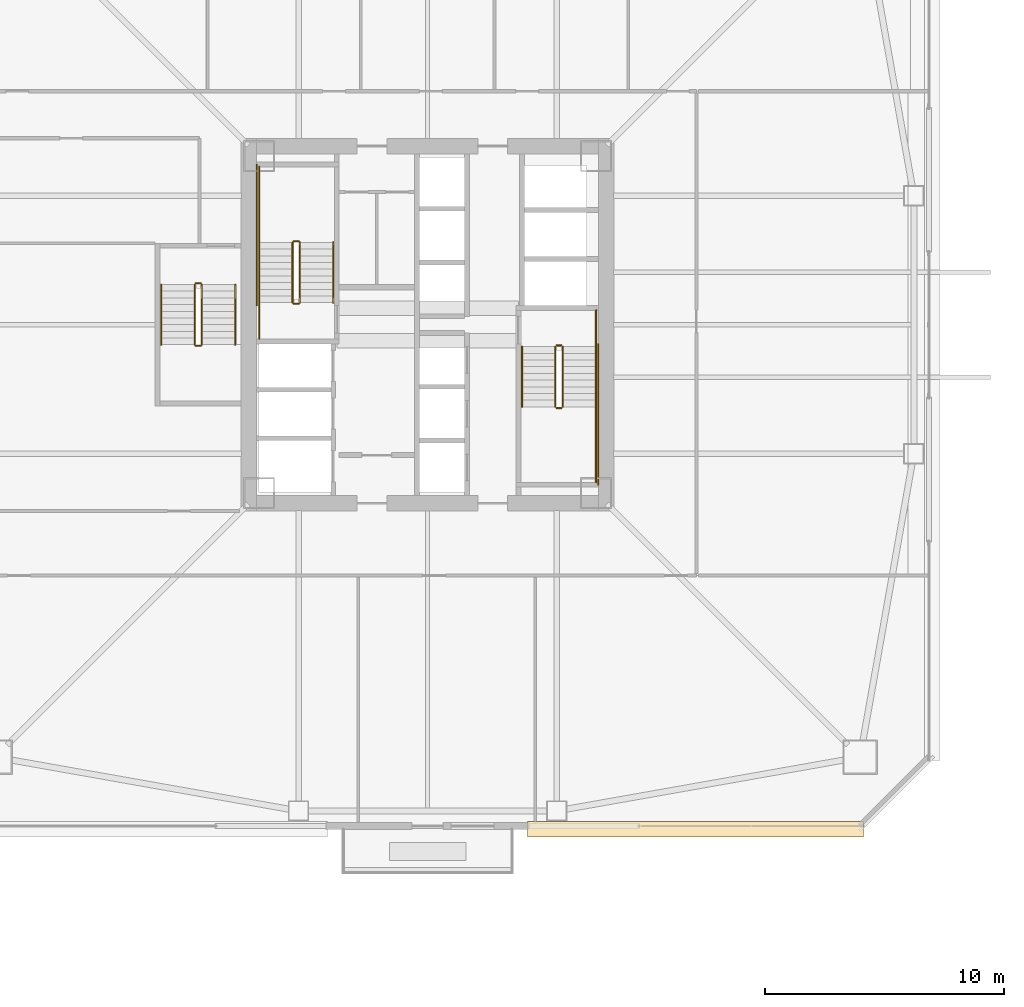
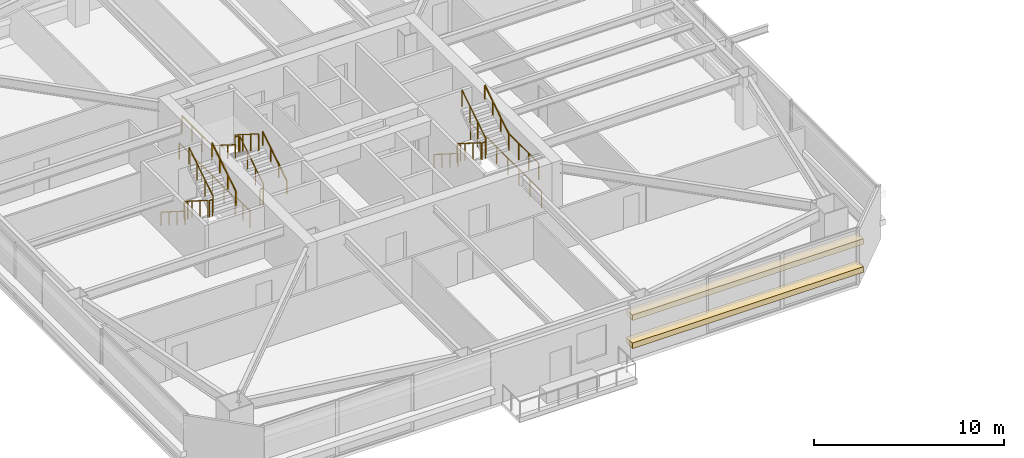
# One storey, part 39 of 44: 24 railings, 2 coverings.
"""IFC4 building model written with IfcOpenShell, lengths in metres."""

from ifc_helpers import new_model, si_unit, direction, frame, origin, origin_2d, place, context, subcontext, project, spatial, rectangle, extrude, material, layer, layer_set, type_object, element, save


model = new_model("IFC4")

# Units and contexts
model_context = context("Model", 3, precision=1e-05, world=origin(), true_north=direction((0.0, 1.0)))
body_context = subcontext(model_context, "Body", "Model", "MODEL_VIEW")
ifc_project = project(units=[si_unit("LENGTHUNIT", "METRE"), si_unit("AREAUNIT", "SQUARE_METRE"), si_unit("VOLUMEUNIT", "CUBIC_METRE"), si_unit("PLANEANGLEUNIT", "RADIAN"), si_unit("MASSUNIT", "GRAM", prefix="KILO")], contexts=[model_context])

# Site, building, storey
site_placement = place(None, origin())
site = spatial("IfcSite", under=ifc_project, at=site_placement, CompositionType="ELEMENT")
building_placement = place(site_placement, origin())
building = spatial("IfcBuilding", under=site, at=building_placement, Name="Tashvorn Skyway Center", CompositionType="ELEMENT")
storey_placement = place(building_placement, frame((0.0, 0.0, 95.60009765625)))
storey = spatial("IfcBuildingStorey", under=building, at=storey_placement, Name="L25", CompositionType="ELEMENT", Elevation=95.60009765625)

# Coverings
ifc_material_1 = material(Name="Perforated ceramic-coated bronze aluminium solar screen", Category="aluminium")
ifc_layer = layer(ifc_material_1, 0.85009765625)
ifc_layer_set = layer_set([ifc_layer], Name="Perforated ceramic-coated bronze aluminium solar screen")
covering_type = type_object("IfcCoveringType", Name="COV-SOLAR-BAND", PredefinedType="CLADDING", material=ifc_layer_set)
for number, where, z_axis, x_axis, name in (
    (1, (53.215087890625, 10.8798828125, 0.919921875), (0.0, 0.0, 1.0), (-1.0, 0.0, 0.0), "L25 Perforated Ceramic-Metal Solar Screen Louvre Band South 1"),
    (2, (53.215087890625, 10.8798828125, 2.7197265625), (0.0, 0.0, 1.0), (-1.0, 0.0, 0.0), "L25 Perforated Ceramic-Metal Solar Screen Louvre Band South 2"),
):
    element("IfcCovering", number, at=place(storey_placement, frame(where, z_axis=z_axis, x_axis=x_axis)), inside=storey, type_object=covering_type, Name=name, PredefinedType="CLADDING", context=body_context, shape_type="SweptSolid", body=[
        extrude(rectangle(XDim=14.050048828125, YDim=0.639892578125, at=origin_2d()), origin(), (0.0, 0.0, 1.0), 0.360107421875),
    ])

# Railings
ifc_material_2 = material(Name="Brushed stainless steel 316", Category="steel")
railing_type_1 = type_object("IfcRailingType", Name="RAIL-HAND-920", PredefinedType="HANDRAIL", material=ifc_material_2)
railing_1_placement = place(storey_placement, frame((38.050048828125, 32.919921875, 0.177490234375)))
element("IfcRailing", 3, at=railing_1_placement, inside=storey, type_object=railing_type_1, Name="L25 ST-T1-1 stair handrail 1", PredefinedType="HANDRAIL", context=body_context, shape_type="SweptSolid", body=[
    extrude(rectangle(XDim=0.048095703125, YDim=0.048095703125, at=origin_2d()), frame((0.0, 0.0, 0.8759765625), z_axis=(0.0, 0.84460694969, 0.535386869969), x_axis=(-1.0, 0.0, 0.0)), (0.0, 0.0, 1.0), 2.983642578125),
    extrude(rectangle(XDim=0.0419921875, YDim=0.0419921875, at=origin_2d()), origin(), (0.0, 0.0, 1.0), 0.851806640625),
    extrude(rectangle(XDim=0.0419921875, YDim=0.0419921875, at=origin_2d()), frame((0.0, 0.840087890625, 0.532470703125)), (0.0, 0.0, 1.0), 0.851806640625),
    extrude(rectangle(XDim=0.0419921875, YDim=0.0419921875, at=origin_2d()), frame((0.0, 1.679931640625, 1.06494140625)), (0.0, 0.0, 1.0), 0.851806640625),
    extrude(rectangle(XDim=0.0419921875, YDim=0.0419921875, at=origin_2d()), frame((0.0, 2.52001953125, 1.597412109375)), (0.0, 0.0, 1.0), 0.851806640625),
])
for number, where, name in (
    (4, (34.949951171875, 35.43994140625, 1.952392578125), "L25 ST-T1-1 stair handrail 2"),
    (5, (45.949951171875, 31.080078125, 0.177490234375), "L25 ST-T1-2 stair handrail 1"),
):
    element("IfcRailing", number, at=place(storey_placement, frame(where)), inside=storey, type_object=railing_type_1, Name=name, PredefinedType="HANDRAIL", context=body_context, shape_type="SweptSolid", body=[
        extrude(rectangle(XDim=0.048095703125, YDim=0.048095703125, at=origin_2d()), frame((0.0, 0.0, 0.8759765625), z_axis=(0.0, -0.84460694969, 0.535386869969), x_axis=(1.0, 0.0, 0.0)), (0.0, 0.0, 1.0), 2.983642578125),
        extrude(rectangle(XDim=0.0419921875, YDim=0.0419921875, at=origin_2d()), origin(), (0.0, 0.0, 1.0), 0.851806640625),
        extrude(rectangle(XDim=0.0419921875, YDim=0.0419921875, at=origin_2d()), frame((0.0, -0.840087890625, 0.532470703125)), (0.0, 0.0, 1.0), 0.851806640625),
        extrude(rectangle(XDim=0.0419921875, YDim=0.0419921875, at=origin_2d()), frame((0.0, -1.679931640625, 1.06494140625)), (0.0, 0.0, 1.0), 0.851806640625),
        extrude(rectangle(XDim=0.0419921875, YDim=0.0419921875, at=origin_2d()), frame((0.0, -2.52001953125, 1.597412109375)), (0.0, 0.0, 1.0), 0.851806640625),
    ])
railing_2_placement = place(storey_placement, frame((49.050048828125, 28.56005859375, 1.952392578125)))
element("IfcRailing", 6, at=railing_2_placement, inside=storey, type_object=railing_type_1, Name="L25 ST-T1-2 stair handrail 2", PredefinedType="HANDRAIL", context=body_context, shape_type="SweptSolid", body=[
    extrude(rectangle(XDim=0.048095703125, YDim=0.048095703125, at=origin_2d()), frame((0.0, 0.0, 0.8759765625), z_axis=(0.0, 0.84460694969, 0.535386869969), x_axis=(-1.0, 0.0, 0.0)), (0.0, 0.0, 1.0), 2.983642578125),
    extrude(rectangle(XDim=0.0419921875, YDim=0.0419921875, at=origin_2d()), origin(), (0.0, 0.0, 1.0), 0.851806640625),
    extrude(rectangle(XDim=0.0419921875, YDim=0.0419921875, at=origin_2d()), frame((0.0, 0.840087890625, 0.532470703125)), (0.0, 0.0, 1.0), 0.851806640625),
    extrude(rectangle(XDim=0.0419921875, YDim=0.0419921875, at=origin_2d()), frame((0.0, 1.679931640625, 1.06494140625)), (0.0, 0.0, 1.0), 0.851806640625),
    extrude(rectangle(XDim=0.0419921875, YDim=0.0419921875, at=origin_2d()), frame((0.0, 2.52001953125, 1.597412109375)), (0.0, 0.0, 1.0), 0.851806640625),
])
railing_3_placement = place(storey_placement, frame((30.85009765625, 33.679931640625, 0.177490234375)))
element("IfcRailing", 7, at=railing_3_placement, inside=storey, type_object=railing_type_1, Name="L25 ST-T1-3 stair handrail 1", PredefinedType="HANDRAIL", context=body_context, shape_type="SweptSolid", body=[
    extrude(rectangle(XDim=0.048095703125, YDim=0.048095703125, at=origin_2d()), frame((0.0, 0.0, 0.8759765625), z_axis=(0.0, -0.84460694969, 0.535386869969), x_axis=(1.0, 0.0, 0.0)), (0.0, 0.0, 1.0), 2.983642578125),
    extrude(rectangle(XDim=0.0419921875, YDim=0.0419921875, at=origin_2d()), origin(), (0.0, 0.0, 1.0), 0.851806640625),
    extrude(rectangle(XDim=0.0419921875, YDim=0.0419921875, at=origin_2d()), frame((0.0, -0.840087890625, 0.532470703125)), (0.0, 0.0, 1.0), 0.851806640625),
    extrude(rectangle(XDim=0.0419921875, YDim=0.0419921875, at=origin_2d()), frame((0.0, -1.679931640625, 1.06494140625)), (0.0, 0.0, 1.0), 0.851806640625),
    extrude(rectangle(XDim=0.0419921875, YDim=0.0419921875, at=origin_2d()), frame((0.0, -2.52001953125, 1.597412109375)), (0.0, 0.0, 1.0), 0.851806640625),
])
railing_4_placement = place(storey_placement, frame((33.949951171875, 31.159912109375, 1.952392578125)))
element("IfcRailing", 8, at=railing_4_placement, inside=storey, type_object=railing_type_1, Name="L25 ST-T1-3 stair handrail 2", PredefinedType="HANDRAIL", context=body_context, shape_type="SweptSolid", body=[
    extrude(rectangle(XDim=0.048095703125, YDim=0.048095703125, at=origin_2d()), frame((0.0, 0.0, 0.8759765625), z_axis=(0.0, 0.84460694969, 0.535386869969), x_axis=(-1.0, 0.0, 0.0)), (0.0, 0.0, 1.0), 2.983642578125),
    extrude(rectangle(XDim=0.0419921875, YDim=0.0419921875, at=origin_2d()), origin(), (0.0, 0.0, 1.0), 0.851806640625),
    extrude(rectangle(XDim=0.0419921875, YDim=0.0419921875, at=origin_2d()), frame((0.0, 0.840087890625, 0.532470703125)), (0.0, 0.0, 1.0), 0.851806640625),
    extrude(rectangle(XDim=0.0419921875, YDim=0.0419921875, at=origin_2d()), frame((0.0, 1.679931640625, 1.06494140625)), (0.0, 0.0, 1.0), 0.851806640625),
    extrude(rectangle(XDim=0.0419921875, YDim=0.0419921875, at=origin_2d()), frame((0.0, 2.52001953125, 1.597412109375)), (0.0, 0.0, 1.0), 0.851806640625),
])
ifc_material_3 = material(Name="Painted galvanized steel S355", Category="steel")
railing_type_2 = type_object("IfcRailingType", Name="RAIL-STGUARD-1100", PredefinedType="GUARDRAIL", material=ifc_material_3)
railing_5_placement = place(storey_placement, frame((36.64990234375, 32.919921875, 0.177490234375)))
element("IfcRailing", 9, at=railing_5_placement, inside=storey, type_object=railing_type_2, Name="L25 ST-T1-1 stair guard 1", PredefinedType="GUARDRAIL", context=body_context, shape_type="SweptSolid", body=[
    extrude(rectangle(XDim=0.048095703125, YDim=0.048095703125, at=origin_2d()), frame((0.0, 0.0, 1.076171875), z_axis=(0.0, 0.84460694969, 0.535386869969), x_axis=(-1.0, 0.0, 0.0)), (0.0, 0.0, 1.0), 2.983642578125),
    extrude(rectangle(XDim=0.0419921875, YDim=0.0419921875, at=origin_2d()), origin(), (0.0, 0.0, 1.0), 1.052001953125),
    extrude(rectangle(XDim=0.0419921875, YDim=0.0419921875, at=origin_2d()), frame((0.0, 0.840087890625, 0.532470703125)), (0.0, 0.0, 1.0), 1.052001953125),
    extrude(rectangle(XDim=0.0419921875, YDim=0.0419921875, at=origin_2d()), frame((0.0, 1.679931640625, 1.06494140625)), (0.0, 0.0, 1.0), 1.052001953125),
    extrude(rectangle(XDim=0.0419921875, YDim=0.0419921875, at=origin_2d()), frame((0.0, 2.52001953125, 1.597412109375)), (0.0, 0.0, 1.0), 1.052001953125),
])
railing_6_placement = place(storey_placement, frame((36.60009765625, 35.489990234375, 1.77490234375)))
element("IfcRailing", 10, at=railing_6_placement, inside=storey, type_object=railing_type_2, Name="L25 ST-T1-1 stair guard 2", PredefinedType="GUARDRAIL", context=body_context, shape_type="SweptSolid", body=[
    extrude(rectangle(XDim=0.048095703125, YDim=0.048095703125, at=origin_2d()), frame((0.0, 0.0, 1.076171875), z_axis=(-1.0, 0.0, 0.0), x_axis=(0.0, -1.0, 0.0)), (0.0, 0.0, 1.0), 0.2001953125),
    extrude(rectangle(XDim=0.0419921875, YDim=0.0419921875, at=origin_2d()), origin(), (0.0, 0.0, 1.0), 1.052001953125),
    extrude(rectangle(XDim=0.0419921875, YDim=0.0419921875, at=origin_2d()), frame((-0.2001953125, 0.0, 0.0)), (0.0, 0.0, 1.0), 1.052001953125),
])
railing_7_placement = place(storey_placement, frame((34.949951171875, 35.43994140625, 1.77490234375)))
element("IfcRailing", 11, at=railing_7_placement, inside=storey, type_object=railing_type_2, Name="L25 ST-T1-1 stair guard 3", PredefinedType="GUARDRAIL", context=body_context, shape_type="SweptSolid", body=[
    extrude(rectangle(XDim=0.048095703125, YDim=0.048095703125, at=origin_2d()), frame((0.0, 0.0, 1.076171875), z_axis=(0.0, 1.0, 0.0), x_axis=(-1.0, 0.0, 0.0)), (0.0, 0.0, 1.0), 3.16015625),
    extrude(rectangle(XDim=0.0419921875, YDim=0.0419921875, at=origin_2d()), origin(), (0.0, 0.0, 1.0), 1.052001953125),
    extrude(rectangle(XDim=0.0419921875, YDim=0.0419921875, at=origin_2d()), frame((0.0, 1.053466796875, 0.0)), (0.0, 0.0, 1.0), 1.052001953125),
    extrude(rectangle(XDim=0.0419921875, YDim=0.0419921875, at=origin_2d()), frame((0.0, 2.106689453125, 0.0)), (0.0, 0.0, 1.0), 1.052001953125),
    extrude(rectangle(XDim=0.0419921875, YDim=0.0419921875, at=origin_2d()), frame((0.0, 3.16015625, 0.0)), (0.0, 0.0, 1.0), 1.052001953125),
])
railing_8_placement = place(storey_placement, frame((36.35009765625, 35.43994140625, 1.952392578125)))
element("IfcRailing", 12, at=railing_8_placement, inside=storey, type_object=railing_type_2, Name="L25 ST-T1-1 stair guard 4", PredefinedType="GUARDRAIL", context=body_context, shape_type="SweptSolid", body=[
    extrude(rectangle(XDim=0.048095703125, YDim=0.048095703125, at=origin_2d()), frame((0.0, 0.0, 1.076171875), z_axis=(0.0, -0.84460694969, 0.535386869969), x_axis=(1.0, 0.0, 0.0)), (0.0, 0.0, 1.0), 2.983642578125),
    extrude(rectangle(XDim=0.0419921875, YDim=0.0419921875, at=origin_2d()), origin(), (0.0, 0.0, 1.0), 1.052001953125),
    extrude(rectangle(XDim=0.0419921875, YDim=0.0419921875, at=origin_2d()), frame((0.0, -0.840087890625, 0.532470703125)), (0.0, 0.0, 1.0), 1.052001953125),
    extrude(rectangle(XDim=0.0419921875, YDim=0.0419921875, at=origin_2d()), frame((0.0, -1.679931640625, 1.06494140625)), (0.0, 0.0, 1.0), 1.052001953125),
    extrude(rectangle(XDim=0.0419921875, YDim=0.0419921875, at=origin_2d()), frame((0.0, -2.52001953125, 1.597412109375)), (0.0, 0.0, 1.0), 1.052001953125),
])
railing_9_placement = place(storey_placement, frame((36.60009765625, 32.8701171875, 0.0)))
element("IfcRailing", 13, at=railing_9_placement, inside=storey, type_object=railing_type_2, Name="L25 ST-T1-1 stair guard 5", PredefinedType="GUARDRAIL", context=body_context, shape_type="SweptSolid", body=[
    extrude(rectangle(XDim=0.048095703125, YDim=0.048095703125, at=origin_2d()), frame((0.0, 0.0, 1.076171875), z_axis=(-1.0, 0.0, 0.0), x_axis=(0.0, -1.0, 0.0)), (0.0, 0.0, 1.0), 0.2001953125),
    extrude(rectangle(XDim=0.0419921875, YDim=0.0419921875, at=origin_2d()), origin(), (0.0, 0.0, 1.0), 1.052001953125),
    extrude(rectangle(XDim=0.0419921875, YDim=0.0419921875, at=origin_2d()), frame((-0.2001953125, 0.0, 0.0)), (0.0, 0.0, 1.0), 1.052001953125),
])
railing_10_placement = place(storey_placement, frame((34.949951171875, 31.39990234375, 0.0)))
element("IfcRailing", 14, at=railing_10_placement, inside=storey, type_object=railing_type_2, Name="L25 ST-T1-1 stair guard 6", PredefinedType="GUARDRAIL", context=body_context, shape_type="SweptSolid", body=[
    extrude(rectangle(XDim=0.048095703125, YDim=0.048095703125, at=origin_2d()), frame((0.0, 0.0, 1.076171875), z_axis=(0.0, 1.0, 0.0), x_axis=(-1.0, 0.0, 0.0)), (0.0, 0.0, 1.0), 1.52001953125),
    extrude(rectangle(XDim=0.0419921875, YDim=0.0419921875, at=origin_2d()), origin(), (0.0, 0.0, 1.0), 1.052001953125),
    extrude(rectangle(XDim=0.0419921875, YDim=0.0419921875, at=origin_2d()), frame((0.0, 0.760009765625, 0.0)), (0.0, 0.0, 1.0), 1.052001953125),
    extrude(rectangle(XDim=0.0419921875, YDim=0.0419921875, at=origin_2d()), frame((0.0, 1.52001953125, 0.0)), (0.0, 0.0, 1.0), 1.052001953125),
])
railing_11_placement = place(storey_placement, frame((34.85009765625, 32.820068359375, 0.0)))
element("IfcRailing", 15, at=railing_11_placement, inside=storey, type_object=railing_type_2, Name="L25 ST-T1-1 stair guard 7", PredefinedType="GUARDRAIL", context=body_context, shape_type="SweptSolid", body=[
    extrude(rectangle(XDim=0.048095703125, YDim=0.048095703125, at=origin_2d()), frame((0.0, 0.0, 1.076171875), z_axis=(0.0, 1.0, 0.0), x_axis=(-1.0, 0.0, 0.0)), (0.0, 0.0, 1.0), 5.8798828125),
    extrude(rectangle(XDim=0.0419921875, YDim=0.0419921875, at=origin_2d()), origin(), (0.0, 0.0, 1.0), 1.052001953125),
    extrude(rectangle(XDim=0.0419921875, YDim=0.0419921875, at=origin_2d()), frame((0.0, 1.176025390625, 0.0)), (0.0, 0.0, 1.0), 1.052001953125),
    extrude(rectangle(XDim=0.0419921875, YDim=0.0419921875, at=origin_2d()), frame((0.0, 2.35205078125, 0.0)), (0.0, 0.0, 1.0), 1.052001953125),
    extrude(rectangle(XDim=0.0419921875, YDim=0.0419921875, at=origin_2d()), frame((0.0, 3.52783203125, 0.0)), (0.0, 0.0, 1.0), 1.052001953125),
    extrude(rectangle(XDim=0.0419921875, YDim=0.0419921875, at=origin_2d()), frame((0.0, 4.703857421875, 0.0)), (0.0, 0.0, 1.0), 1.052001953125),
    extrude(rectangle(XDim=0.0419921875, YDim=0.0419921875, at=origin_2d()), frame((0.0, 5.8798828125, 0.0)), (0.0, 0.0, 1.0), 1.052001953125),
])
railing_12_placement = place(storey_placement, frame((47.35009765625, 31.080078125, 0.177490234375)))
element("IfcRailing", 16, at=railing_12_placement, inside=storey, type_object=railing_type_2, Name="L25 ST-T1-2 stair guard 1", PredefinedType="GUARDRAIL", context=body_context, shape_type="SweptSolid", body=[
    extrude(rectangle(XDim=0.048095703125, YDim=0.048095703125, at=origin_2d()), frame((0.0, 0.0, 1.076171875), z_axis=(0.0, -0.84460694969, 0.535386869969), x_axis=(1.0, 0.0, 0.0)), (0.0, 0.0, 1.0), 2.983642578125),
    extrude(rectangle(XDim=0.0419921875, YDim=0.0419921875, at=origin_2d()), origin(), (0.0, 0.0, 1.0), 1.052001953125),
    extrude(rectangle(XDim=0.0419921875, YDim=0.0419921875, at=origin_2d()), frame((0.0, -0.840087890625, 0.532470703125)), (0.0, 0.0, 1.0), 1.052001953125),
    extrude(rectangle(XDim=0.0419921875, YDim=0.0419921875, at=origin_2d()), frame((0.0, -1.679931640625, 1.06494140625)), (0.0, 0.0, 1.0), 1.052001953125),
    extrude(rectangle(XDim=0.0419921875, YDim=0.0419921875, at=origin_2d()), frame((0.0, -2.52001953125, 1.597412109375)), (0.0, 0.0, 1.0), 1.052001953125),
])
railing_13_placement = place(storey_placement, frame((47.39990234375, 28.510009765625, 1.77490234375)))
element("IfcRailing", 17, at=railing_13_placement, inside=storey, type_object=railing_type_2, Name="L25 ST-T1-2 stair guard 2", PredefinedType="GUARDRAIL", context=body_context, shape_type="SweptSolid", body=[
    extrude(rectangle(XDim=0.048095703125, YDim=0.048095703125, at=origin_2d()), frame((0.0, 0.0, 1.076171875), z_axis=(1.0, 0.0, 0.0), x_axis=(0.0, 1.0, 0.0)), (0.0, 0.0, 1.0), 0.2001953125),
    extrude(rectangle(XDim=0.0419921875, YDim=0.0419921875, at=origin_2d()), origin(), (0.0, 0.0, 1.0), 1.052001953125),
    extrude(rectangle(XDim=0.0419921875, YDim=0.0419921875, at=origin_2d()), frame((0.2001953125, 0.0, 0.0)), (0.0, 0.0, 1.0), 1.052001953125),
])
railing_14_placement = place(storey_placement, frame((49.050048828125, 28.56005859375, 1.77490234375)))
element("IfcRailing", 18, at=railing_14_placement, inside=storey, type_object=railing_type_2, Name="L25 ST-T1-2 stair guard 3", PredefinedType="GUARDRAIL", context=body_context, shape_type="SweptSolid", body=[
    extrude(rectangle(XDim=0.048095703125, YDim=0.048095703125, at=origin_2d()), frame((0.0, 0.0, 1.076171875), z_axis=(0.0, -1.0, 0.0), x_axis=(1.0, 0.0, 0.0)), (0.0, 0.0, 1.0), 3.16015625),
    extrude(rectangle(XDim=0.0419921875, YDim=0.0419921875, at=origin_2d()), origin(), (0.0, 0.0, 1.0), 1.052001953125),
    extrude(rectangle(XDim=0.0419921875, YDim=0.0419921875, at=origin_2d()), frame((0.0, -1.053466796875, 0.0)), (0.0, 0.0, 1.0), 1.052001953125),
    extrude(rectangle(XDim=0.0419921875, YDim=0.0419921875, at=origin_2d()), frame((0.0, -2.106689453125, 0.0)), (0.0, 0.0, 1.0), 1.052001953125),
    extrude(rectangle(XDim=0.0419921875, YDim=0.0419921875, at=origin_2d()), frame((0.0, -3.16015625, 0.0)), (0.0, 0.0, 1.0), 1.052001953125),
])
railing_15_placement = place(storey_placement, frame((47.64990234375, 28.56005859375, 1.952392578125)))
element("IfcRailing", 19, at=railing_15_placement, inside=storey, type_object=railing_type_2, Name="L25 ST-T1-2 stair guard 4", PredefinedType="GUARDRAIL", context=body_context, shape_type="SweptSolid", body=[
    extrude(rectangle(XDim=0.048095703125, YDim=0.048095703125, at=origin_2d()), frame((0.0, 0.0, 1.076171875), z_axis=(0.0, 0.84460694969, 0.535386869969), x_axis=(-1.0, 0.0, 0.0)), (0.0, 0.0, 1.0), 2.983642578125),
    extrude(rectangle(XDim=0.0419921875, YDim=0.0419921875, at=origin_2d()), origin(), (0.0, 0.0, 1.0), 1.052001953125),
    extrude(rectangle(XDim=0.0419921875, YDim=0.0419921875, at=origin_2d()), frame((0.0, 0.840087890625, 0.532470703125)), (0.0, 0.0, 1.0), 1.052001953125),
    extrude(rectangle(XDim=0.0419921875, YDim=0.0419921875, at=origin_2d()), frame((0.0, 1.679931640625, 1.06494140625)), (0.0, 0.0, 1.0), 1.052001953125),
    extrude(rectangle(XDim=0.0419921875, YDim=0.0419921875, at=origin_2d()), frame((0.0, 2.52001953125, 1.597412109375)), (0.0, 0.0, 1.0), 1.052001953125),
])
railing_16_placement = place(storey_placement, frame((47.39990234375, 31.1298828125, 0.0)))
element("IfcRailing", 20, at=railing_16_placement, inside=storey, type_object=railing_type_2, Name="L25 ST-T1-2 stair guard 5", PredefinedType="GUARDRAIL", context=body_context, shape_type="SweptSolid", body=[
    extrude(rectangle(XDim=0.048095703125, YDim=0.048095703125, at=origin_2d()), frame((0.0, 0.0, 1.076171875), z_axis=(1.0, 0.0, 0.0), x_axis=(0.0, 1.0, 0.0)), (0.0, 0.0, 1.0), 0.2001953125),
    extrude(rectangle(XDim=0.0419921875, YDim=0.0419921875, at=origin_2d()), origin(), (0.0, 0.0, 1.0), 1.052001953125),
    extrude(rectangle(XDim=0.0419921875, YDim=0.0419921875, at=origin_2d()), frame((0.2001953125, 0.0, 0.0)), (0.0, 0.0, 1.0), 1.052001953125),
])
railing_17_placement = place(storey_placement, frame((49.050048828125, 32.60009765625, 0.0)))
element("IfcRailing", 21, at=railing_17_placement, inside=storey, type_object=railing_type_2, Name="L25 ST-T1-2 stair guard 6", PredefinedType="GUARDRAIL", context=body_context, shape_type="SweptSolid", body=[
    extrude(rectangle(XDim=0.048095703125, YDim=0.048095703125, at=origin_2d()), frame((0.0, 0.0, 1.076171875), z_axis=(0.0, -1.0, 0.0), x_axis=(1.0, 0.0, 0.0)), (0.0, 0.0, 1.0), 1.52001953125),
    extrude(rectangle(XDim=0.0419921875, YDim=0.0419921875, at=origin_2d()), origin(), (0.0, 0.0, 1.0), 1.052001953125),
    extrude(rectangle(XDim=0.0419921875, YDim=0.0419921875, at=origin_2d()), frame((0.0, -0.760009765625, 0.0)), (0.0, 0.0, 1.0), 1.052001953125),
    extrude(rectangle(XDim=0.0419921875, YDim=0.0419921875, at=origin_2d()), frame((0.0, -1.52001953125, 0.0)), (0.0, 0.0, 1.0), 1.052001953125),
])
railing_18_placement = place(storey_placement, frame((49.14990234375, 31.179931640625, 0.0)))
element("IfcRailing", 22, at=railing_18_placement, inside=storey, type_object=railing_type_2, Name="L25 ST-T1-2 stair guard 7", PredefinedType="GUARDRAIL", context=body_context, shape_type="SweptSolid", body=[
    extrude(rectangle(XDim=0.048095703125, YDim=0.048095703125, at=origin_2d()), frame((0.0, 0.0, 1.076171875), z_axis=(0.0, -1.0, 0.0), x_axis=(1.0, 0.0, 0.0)), (0.0, 0.0, 1.0), 5.8798828125),
    extrude(rectangle(XDim=0.0419921875, YDim=0.0419921875, at=origin_2d()), origin(), (0.0, 0.0, 1.0), 1.052001953125),
    extrude(rectangle(XDim=0.0419921875, YDim=0.0419921875, at=origin_2d()), frame((0.0, -1.176025390625, 0.0)), (0.0, 0.0, 1.0), 1.052001953125),
    extrude(rectangle(XDim=0.0419921875, YDim=0.0419921875, at=origin_2d()), frame((0.0, -2.35205078125, 0.0)), (0.0, 0.0, 1.0), 1.052001953125),
    extrude(rectangle(XDim=0.0419921875, YDim=0.0419921875, at=origin_2d()), frame((0.0, -3.52783203125, 0.0)), (0.0, 0.0, 1.0), 1.052001953125),
    extrude(rectangle(XDim=0.0419921875, YDim=0.0419921875, at=origin_2d()), frame((0.0, -4.703857421875, 0.0)), (0.0, 0.0, 1.0), 1.052001953125),
    extrude(rectangle(XDim=0.0419921875, YDim=0.0419921875, at=origin_2d()), frame((0.0, -5.8798828125, 0.0)), (0.0, 0.0, 1.0), 1.052001953125),
])
railing_19_placement = place(storey_placement, frame((32.25, 33.679931640625, 0.177490234375)))
element("IfcRailing", 23, at=railing_19_placement, inside=storey, type_object=railing_type_2, Name="L25 ST-T1-3 stair guard 1", PredefinedType="GUARDRAIL", context=body_context, shape_type="SweptSolid", body=[
    extrude(rectangle(XDim=0.048095703125, YDim=0.048095703125, at=origin_2d()), frame((0.0, 0.0, 1.076171875), z_axis=(0.0, -0.84460694969, 0.535386869969), x_axis=(1.0, 0.0, 0.0)), (0.0, 0.0, 1.0), 2.983642578125),
    extrude(rectangle(XDim=0.0419921875, YDim=0.0419921875, at=origin_2d()), origin(), (0.0, 0.0, 1.0), 1.052001953125),
    extrude(rectangle(XDim=0.0419921875, YDim=0.0419921875, at=origin_2d()), frame((0.0, -0.840087890625, 0.532470703125)), (0.0, 0.0, 1.0), 1.052001953125),
    extrude(rectangle(XDim=0.0419921875, YDim=0.0419921875, at=origin_2d()), frame((0.0, -1.679931640625, 1.06494140625)), (0.0, 0.0, 1.0), 1.052001953125),
    extrude(rectangle(XDim=0.0419921875, YDim=0.0419921875, at=origin_2d()), frame((0.0, -2.52001953125, 1.597412109375)), (0.0, 0.0, 1.0), 1.052001953125),
])
railing_20_placement = place(storey_placement, frame((32.300048828125, 31.110107421875, 1.77490234375)))
element("IfcRailing", 24, at=railing_20_placement, inside=storey, type_object=railing_type_2, Name="L25 ST-T1-3 stair guard 2", PredefinedType="GUARDRAIL", context=body_context, shape_type="SweptSolid", body=[
    extrude(rectangle(XDim=0.048095703125, YDim=0.048095703125, at=origin_2d()), frame((0.0, 0.0, 1.076171875), z_axis=(1.0, 0.0, 0.0), x_axis=(0.0, 1.0, 0.0)), (0.0, 0.0, 1.0), 0.199951171875),
    extrude(rectangle(XDim=0.0419921875, YDim=0.0419921875, at=origin_2d()), origin(), (0.0, 0.0, 1.0), 1.052001953125),
    extrude(rectangle(XDim=0.0419921875, YDim=0.0419921875, at=origin_2d()), frame((0.199951171875, 0.0, 0.0)), (0.0, 0.0, 1.0), 1.052001953125),
])
railing_21_placement = place(storey_placement, frame((32.550048828125, 31.159912109375, 1.952392578125)))
element("IfcRailing", 25, at=railing_21_placement, inside=storey, type_object=railing_type_2, Name="L25 ST-T1-3 stair guard 3", PredefinedType="GUARDRAIL", context=body_context, shape_type="SweptSolid", body=[
    extrude(rectangle(XDim=0.048095703125, YDim=0.048095703125, at=origin_2d()), frame((0.0, 0.0, 1.076171875), z_axis=(0.0, 0.84460694969, 0.535386869969), x_axis=(-1.0, 0.0, 0.0)), (0.0, 0.0, 1.0), 2.983642578125),
    extrude(rectangle(XDim=0.0419921875, YDim=0.0419921875, at=origin_2d()), origin(), (0.0, 0.0, 1.0), 1.052001953125),
    extrude(rectangle(XDim=0.0419921875, YDim=0.0419921875, at=origin_2d()), frame((0.0, 0.840087890625, 0.532470703125)), (0.0, 0.0, 1.0), 1.052001953125),
    extrude(rectangle(XDim=0.0419921875, YDim=0.0419921875, at=origin_2d()), frame((0.0, 1.679931640625, 1.06494140625)), (0.0, 0.0, 1.0), 1.052001953125),
    extrude(rectangle(XDim=0.0419921875, YDim=0.0419921875, at=origin_2d()), frame((0.0, 2.52001953125, 1.597412109375)), (0.0, 0.0, 1.0), 1.052001953125),
])
railing_22_placement = place(storey_placement, frame((32.300048828125, 33.72998046875, 0.0)))
element("IfcRailing", 26, at=railing_22_placement, inside=storey, type_object=railing_type_2, Name="L25 ST-T1-3 stair guard 4", PredefinedType="GUARDRAIL", context=body_context, shape_type="SweptSolid", body=[
    extrude(rectangle(XDim=0.048095703125, YDim=0.048095703125, at=origin_2d()), frame((0.0, 0.0, 1.076171875), z_axis=(1.0, 0.0, 0.0), x_axis=(0.0, 1.0, 0.0)), (0.0, 0.0, 1.0), 0.199951171875),
    extrude(rectangle(XDim=0.0419921875, YDim=0.0419921875, at=origin_2d()), origin(), (0.0, 0.0, 1.0), 1.052001953125),
    extrude(rectangle(XDim=0.0419921875, YDim=0.0419921875, at=origin_2d()), frame((0.199951171875, 0.0, 0.0)), (0.0, 0.0, 1.0), 1.052001953125),
])

save(model, "model.ifc")
